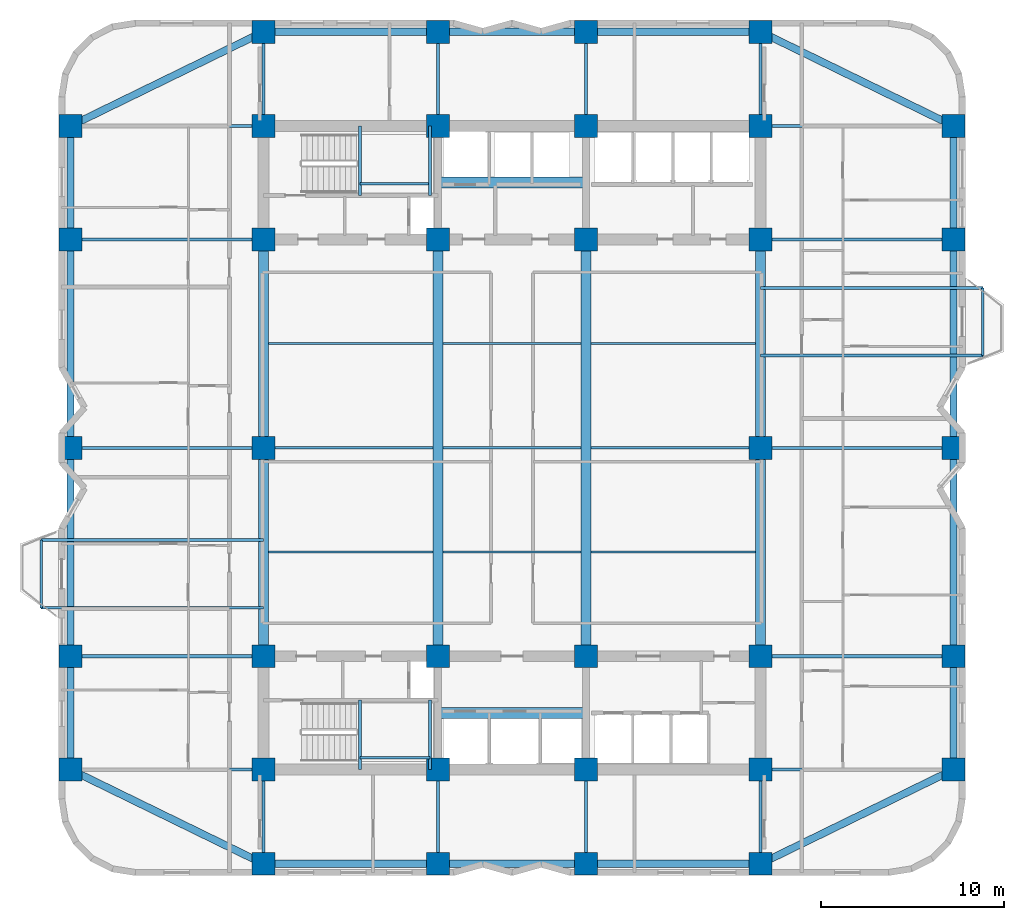
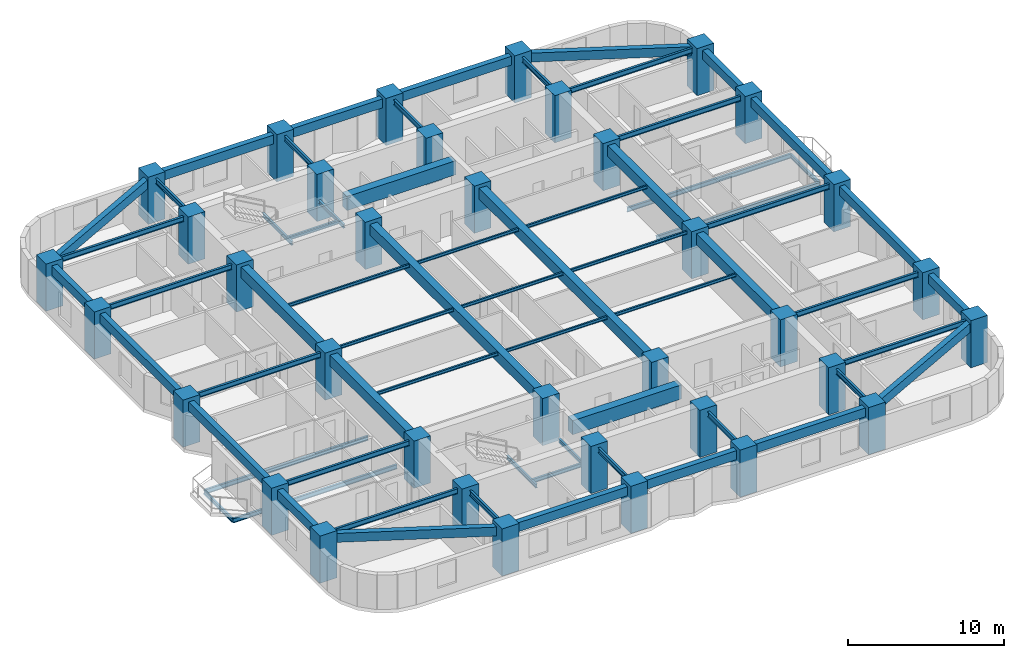
# One storey, part 1 of 9: 65 beams, 36 columns.
"""IFC4 building model written with IfcOpenShell, lengths in metres."""

from ifc_helpers import new_model, si_unit, direction, frame, origin, origin_2d, place, context, subcontext, project, spatial, rectangle, i_section, extrude, material, material_profile, profile_set, type_object, element, save


model = new_model("IFC4")

# Units and contexts
model_context = context("Model", 3, precision=1e-05, world=origin(), true_north=direction((0.0, 1.0)))
body_context = subcontext(model_context, "Body", "Model", "MODEL_VIEW")
ifc_project = project(units=[si_unit("LENGTHUNIT", "METRE"), si_unit("AREAUNIT", "SQUARE_METRE"), si_unit("VOLUMEUNIT", "CUBIC_METRE"), si_unit("PLANEANGLEUNIT", "RADIAN"), si_unit("MASSUNIT", "GRAM", prefix="KILO")], contexts=[model_context])

# Site, building, storey
site_placement = place(None, origin())
site = spatial("IfcSite", under=ifc_project, at=site_placement, CompositionType="ELEMENT")
building_placement = place(site_placement, origin())
building = spatial("IfcBuilding", under=site, at=building_placement, Name="Svetorya Sky Lyceum", CompositionType="ELEMENT")
storey_placement = place(building_placement, frame((0.0, 0.0, 51.0)))
storey = spatial("IfcBuildingStorey", under=building, at=storey_placement, Name="L12", CompositionType="ELEMENT", Elevation=51.0)

# Columns
ifc_material_1 = material(Name="Concrete C60/75", Category="concrete")
ifc_material_profile_1 = material_profile(ifc_material_1, rectangle(XDim=1.25, YDim=1.25, at=origin_2d()), Name="RC COL 1250x1250")
ifc_profile_set_1 = profile_set([ifc_material_profile_1], Name="Concrete C60/75")
column_type = type_object("IfcColumnType", Name="COL-RC-1250", PredefinedType="COLUMN", material=ifc_profile_set_1)
for number, where, z_axis, x_axis, name in (
    (1, (25.60009765625, 10.60009765625, 0.0), (0.0, 0.0, 1.0), (1.0, 0.0, 0.0), "L12 Core Column CS-11"),
    (2, (25.60009765625, 16.800048828125, 0.0), (0.0, 0.0, 1.0), (1.0, 0.0, 0.0), "L12 Core Column CS-12"),
    (3, (35.14990234375, 10.60009765625, 0.0), (0.0, 0.0, 1.0), (1.0, 0.0, 0.0), "L12 Core Column CS-21"),
    (4, (35.14990234375, 16.800048828125, 0.0), (0.0, 0.0, 1.0), (1.0, 0.0, 0.0), "L12 Core Column CS-22"),
    (5, (43.25, 10.60009765625, 0.0), (0.0, 0.0, 1.0), (1.0, 0.0, 0.0), "L12 Core Column CS-31"),
    (6, (43.25, 16.800048828125, 0.0), (0.0, 0.0, 1.0), (1.0, 0.0, 0.0), "L12 Core Column CS-32"),
    (7, (52.800048828125, 10.60009765625, 0.0), (0.0, 0.0, 1.0), (1.0, 0.0, 0.0), "L12 Core Column CS-41"),
    (8, (52.800048828125, 16.800048828125, 0.0), (0.0, 0.0, 1.0), (1.0, 0.0, 0.0), "L12 Core Column CS-42"),
    (9, (25.60009765625, 39.60009765625, 0.0), (0.0, 0.0, 1.0), (1.0, 0.0, 0.0), "L12 Core Column CN-11"),
    (10, (25.60009765625, 45.800048828125, 0.0), (0.0, 0.0, 1.0), (1.0, 0.0, 0.0), "L12 Core Column CN-12"),
    (11, (35.14990234375, 39.60009765625, 0.0), (0.0, 0.0, 1.0), (1.0, 0.0, 0.0), "L12 Core Column CN-21"),
    (12, (35.14990234375, 45.800048828125, 0.0), (0.0, 0.0, 1.0), (1.0, 0.0, 0.0), "L12 Core Column CN-22"),
    (13, (43.25, 39.60009765625, 0.0), (0.0, 0.0, 1.0), (1.0, 0.0, 0.0), "L12 Core Column CN-31"),
    (14, (43.25, 45.800048828125, 0.0), (0.0, 0.0, 1.0), (1.0, 0.0, 0.0), "L12 Core Column CN-32"),
    (15, (52.800048828125, 39.60009765625, 0.0), (0.0, 0.0, 1.0), (1.0, 0.0, 0.0), "L12 Core Column CN-41"),
    (16, (52.800048828125, 45.800048828125, 0.0), (0.0, 0.0, 1.0), (1.0, 0.0, 0.0), "L12 Core Column CN-42"),
    (17, (25.60009765625, 28.199951171875, 0.0), (0.0, 0.0, 1.0), (1.0, 0.0, 0.0), "L12 Core Column CM-W"),
    (18, (52.800048828125, 28.199951171875, 0.0), (0.0, 0.0, 1.0), (1.0, 0.0, 0.0), "L12 Core Column CM-E"),
    (19, (25.60009765625, 5.449951171875, 0.0), (0.0, 0.0, 1.0), (1.0, 0.0, 0.0), "L12 Perimeter Column S1"),
    (20, (25.60009765625, 50.949951171875, 0.0), (0.0, 0.0, 1.0), (1.0, 0.0, 0.0), "L12 Perimeter Column N1"),
    (21, (35.14990234375, 5.449951171875, 0.0), (0.0, 0.0, 1.0), (1.0, 0.0, 0.0), "L12 Perimeter Column S2"),
    (22, (35.14990234375, 50.949951171875, 0.0), (0.0, 0.0, 1.0), (1.0, 0.0, 0.0), "L12 Perimeter Column N2"),
    (23, (43.25, 5.449951171875, 0.0), (0.0, 0.0, 1.0), (1.0, 0.0, 0.0), "L12 Perimeter Column S3"),
    (24, (43.25, 50.949951171875, 0.0), (0.0, 0.0, 1.0), (1.0, 0.0, 0.0), "L12 Perimeter Column N3"),
    (25, (52.800048828125, 5.449951171875, 0.0), (0.0, 0.0, 1.0), (1.0, 0.0, 0.0), "L12 Perimeter Column S4"),
    (26, (52.800048828125, 50.949951171875, 0.0), (0.0, 0.0, 1.0), (1.0, 0.0, 0.0), "L12 Perimeter Column N4"),
    (27, (15.050048828125, 10.60009765625, 0.0), (0.0, 0.0, 1.0), (1.0, 0.0, 0.0), "L12 Perimeter Column W1"),
    (28, (63.35009765625, 10.60009765625, 0.0), (0.0, 0.0, 1.0), (1.0, 0.0, 0.0), "L12 Perimeter Column E1"),
    (29, (15.050048828125, 16.800048828125, 0.0), (0.0, 0.0, 1.0), (1.0, 0.0, 0.0), "L12 Perimeter Column W2"),
    (30, (63.35009765625, 16.800048828125, 0.0), (0.0, 0.0, 1.0), (1.0, 0.0, 0.0), "L12 Perimeter Column E2"),
    (31, (15.050048828125, 28.199951171875, 0.0), (0.0, 0.0, 1.0), (1.0, 0.0, 0.0), "L12 Perimeter Column W3"),
    (32, (63.35009765625, 28.199951171875, 0.0), (0.0, 0.0, 1.0), (1.0, 0.0, 0.0), "L12 Perimeter Column E3"),
    (33, (15.050048828125, 39.60009765625, 0.0), (0.0, 0.0, 1.0), (1.0, 0.0, 0.0), "L12 Perimeter Column W4"),
    (34, (63.35009765625, 39.60009765625, 0.0), (0.0, 0.0, 1.0), (1.0, 0.0, 0.0), "L12 Perimeter Column E4"),
    (35, (15.050048828125, 45.800048828125, 0.0), (0.0, 0.0, 1.0), (1.0, 0.0, 0.0), "L12 Perimeter Column W5"),
    (36, (63.35009765625, 45.800048828125, 0.0), (0.0, 0.0, 1.0), (1.0, 0.0, 0.0), "L12 Perimeter Column E5"),
):
    element("IfcColumn", number, at=place(storey_placement, frame(where, z_axis=z_axis, x_axis=x_axis)), inside=storey, type_object=column_type, Name=name, PredefinedType="COLUMN", context=body_context, shape_type="SweptSolid", body=[
        extrude(rectangle(XDim=1.25, YDim=1.25, at=origin_2d()), origin(), (0.0, 0.0, 1.0), 3.699951171875),
    ])

# Beams
ifc_material_profile_2 = material_profile(ifc_material_1, rectangle(XDim=0.60009765625, YDim=1.10009765625, at=origin_2d()), Name="RC COUPLING 600x1100")
ifc_profile_set_2 = profile_set([ifc_material_profile_2], Name="Concrete C60/75")
beam_type_1 = type_object("IfcBeamType", Name="BM-CPL-1100", PredefinedType="LINTEL", material=ifc_profile_set_2)
for number, where, z_axis, x_axis, name in (
    (37, (35.14990234375, 13.699951171875, 2.8701171875), (1.0, 0.0, 0.0), (0.0, 1.0, 0.0), "L12 SC Core Coupling Beam"),
    (38, (35.14990234375, 42.699951171875, 2.8701171875), (1.0, 0.0, 0.0), (0.0, 1.0, 0.0), "L12 NC Core Coupling Beam"),
):
    element("IfcBeam", number, at=place(storey_placement, frame(where, z_axis=z_axis, x_axis=x_axis)), inside=storey, type_object=beam_type_1, Name=name, PredefinedType="LINTEL", context=body_context, shape_type="SweptSolid", body=[
        extrude(rectangle(XDim=0.60009765625, YDim=1.10009765625, at=origin_2d()), origin(), (0.0, 0.0, 1.0), 8.10009765625),
    ])
ifc_material_2 = material(Name="Concrete C50/60", Category="concrete")
ifc_material_profile_3 = material_profile(ifc_material_2, rectangle(XDim=0.550048828125, YDim=0.85009765625, at=origin_2d()), Name="RC BEAM 550x850")
ifc_profile_set_3 = profile_set([ifc_material_profile_3], Name="Concrete C50/60")
beam_type_2 = type_object("IfcBeamType", Name="BM-RC-850", PredefinedType="BEAM", material=ifc_profile_set_3)
beam_1_placement = place(storey_placement, frame((25.60009765625, 16.800048828125, 2.9951171875), z_axis=(0.0, 1.0, 0.0), x_axis=(-1.0, 0.0, 0.0)))
element("IfcBeam", 39, at=beam_1_placement, inside=storey, type_object=beam_type_2, Name="L12 Central Bay Primary Girder CG-1A", PredefinedType="BEAM", context=body_context, shape_type="SweptSolid", body=[
    extrude(rectangle(XDim=0.550048828125, YDim=0.85009765625, at=origin_2d()), origin(), (0.0, 0.0, 1.0), 11.39990234375),
])
beam_2_placement = place(storey_placement, frame((25.60009765625, 28.199951171875, 2.9951171875), z_axis=(0.0, 1.0, 0.0), x_axis=(-1.0, 0.0, 0.0)))
element("IfcBeam", 40, at=beam_2_placement, inside=storey, type_object=beam_type_2, Name="L12 Central Bay Primary Girder CG-1B", PredefinedType="BEAM", context=body_context, shape_type="SweptSolid", body=[
    extrude(rectangle(XDim=0.550048828125, YDim=0.85009765625, at=origin_2d()), origin(), (0.0, 0.0, 1.0), 11.400146484375),
])
for number, where, z_axis, x_axis, name in (
    (41, (35.14990234375, 16.800048828125, 2.9951171875), (0.0, 1.0, 0.0), (-1.0, 0.0, 0.0), "L12 Central Bay Primary Girder CG-2"),
    (42, (43.25, 16.800048828125, 2.9951171875), (0.0, 1.0, 0.0), (-1.0, 0.0, 0.0), "L12 Central Bay Primary Girder CG-3"),
):
    element("IfcBeam", number, at=place(storey_placement, frame(where, z_axis=z_axis, x_axis=x_axis)), inside=storey, type_object=beam_type_2, Name=name, PredefinedType="BEAM", context=body_context, shape_type="SweptSolid", body=[
        extrude(rectangle(XDim=0.550048828125, YDim=0.85009765625, at=origin_2d()), origin(), (0.0, 0.0, 1.0), 22.800048828125),
    ])
beam_3_placement = place(storey_placement, frame((52.800048828125, 16.800048828125, 2.9951171875), z_axis=(0.0, 1.0, 0.0), x_axis=(-1.0, 0.0, 0.0)))
element("IfcBeam", 43, at=beam_3_placement, inside=storey, type_object=beam_type_2, Name="L12 Central Bay Primary Girder CG-4A", PredefinedType="BEAM", context=body_context, shape_type="SweptSolid", body=[
    extrude(rectangle(XDim=0.550048828125, YDim=0.85009765625, at=origin_2d()), origin(), (0.0, 0.0, 1.0), 11.39990234375),
])
beam_4_placement = place(storey_placement, frame((52.800048828125, 28.199951171875, 2.9951171875), z_axis=(0.0, 1.0, 0.0), x_axis=(-1.0, 0.0, 0.0)))
element("IfcBeam", 44, at=beam_4_placement, inside=storey, type_object=beam_type_2, Name="L12 Central Bay Primary Girder CG-4B", PredefinedType="BEAM", context=body_context, shape_type="SweptSolid", body=[
    extrude(rectangle(XDim=0.550048828125, YDim=0.85009765625, at=origin_2d()), origin(), (0.0, 0.0, 1.0), 11.400146484375),
])
ifc_material_profile_4 = material_profile(ifc_material_2, rectangle(XDim=0.39990234375, YDim=0.699951171875, at=origin_2d()), Name="RC SPANDREL 400x700")
ifc_profile_set_4 = profile_set([ifc_material_profile_4], Name="Concrete C50/60")
beam_type_3 = type_object("IfcBeamType", Name="BM-SPN-700", PredefinedType="SPANDREL", material=ifc_profile_set_4)
beam_5_placement = place(storey_placement, frame((25.60009765625, 5.449951171875, 3.070068359375), z_axis=(1.0, 0.0, 0.0), x_axis=(0.0, 1.0, 0.0)))
element("IfcBeam", 45, at=beam_5_placement, inside=storey, type_object=beam_type_3, Name="L12 South Spandrel 1", PredefinedType="SPANDREL", context=body_context, shape_type="SweptSolid", body=[
    extrude(rectangle(XDim=0.39990234375, YDim=0.699951171875, at=origin_2d()), origin(), (0.0, 0.0, 1.0), 9.5498046875),
])
beam_6_placement = place(storey_placement, frame((35.14990234375, 5.449951171875, 3.070068359375), z_axis=(1.0, 0.0, 0.0), x_axis=(0.0, 1.0, 0.0)))
element("IfcBeam", 46, at=beam_6_placement, inside=storey, type_object=beam_type_3, Name="L12 South Spandrel 2", PredefinedType="SPANDREL", context=body_context, shape_type="SweptSolid", body=[
    extrude(rectangle(XDim=0.39990234375, YDim=0.699951171875, at=origin_2d()), origin(), (0.0, 0.0, 1.0), 8.10009765625),
])
beam_7_placement = place(storey_placement, frame((43.25, 5.449951171875, 3.070068359375), z_axis=(1.0, 0.0, 0.0), x_axis=(0.0, 1.0, 0.0)))
element("IfcBeam", 47, at=beam_7_placement, inside=storey, type_object=beam_type_3, Name="L12 South Spandrel 3", PredefinedType="SPANDREL", context=body_context, shape_type="SweptSolid", body=[
    extrude(rectangle(XDim=0.39990234375, YDim=0.699951171875, at=origin_2d()), origin(), (0.0, 0.0, 1.0), 9.550048828125),
])
beam_8_placement = place(storey_placement, frame((25.60009765625, 50.949951171875, 3.070068359375), z_axis=(1.0, 0.0, 0.0), x_axis=(0.0, 1.0, 0.0)))
element("IfcBeam", 48, at=beam_8_placement, inside=storey, type_object=beam_type_3, Name="L12 North Spandrel 1", PredefinedType="SPANDREL", context=body_context, shape_type="SweptSolid", body=[
    extrude(rectangle(XDim=0.39990234375, YDim=0.699951171875, at=origin_2d()), origin(), (0.0, 0.0, 1.0), 9.5498046875),
])
beam_9_placement = place(storey_placement, frame((35.14990234375, 50.949951171875, 3.070068359375), z_axis=(1.0, 0.0, 0.0), x_axis=(0.0, 1.0, 0.0)))
element("IfcBeam", 49, at=beam_9_placement, inside=storey, type_object=beam_type_3, Name="L12 North Spandrel 2", PredefinedType="SPANDREL", context=body_context, shape_type="SweptSolid", body=[
    extrude(rectangle(XDim=0.39990234375, YDim=0.699951171875, at=origin_2d()), origin(), (0.0, 0.0, 1.0), 8.10009765625),
])
beam_10_placement = place(storey_placement, frame((43.25, 50.949951171875, 3.070068359375), z_axis=(1.0, 0.0, 0.0), x_axis=(0.0, 1.0, 0.0)))
element("IfcBeam", 50, at=beam_10_placement, inside=storey, type_object=beam_type_3, Name="L12 North Spandrel 3", PredefinedType="SPANDREL", context=body_context, shape_type="SweptSolid", body=[
    extrude(rectangle(XDim=0.39990234375, YDim=0.699951171875, at=origin_2d()), origin(), (0.0, 0.0, 1.0), 9.550048828125),
])
for number, where, z_axis, x_axis, name in (
    (51, (25.60009765625, 5.449951171875, 3.070068359375), (-0.898641495694, 0.438683783854, 0.0), (-0.438683783854, -0.898641495694, 0.0), "L12 Corner Spandrel 1"),
    (52, (52.800048828125, 5.449951171875, 3.070068359375), (0.898641495694, 0.438683783854, 0.0), (-0.438683783854, 0.898641495694, 0.0), "L12 Corner Spandrel 2"),
    (53, (63.35009765625, 45.800048828125, 3.070068359375), (-0.898649693653, 0.438666989978, 0.0), (-0.438666989978, -0.898649693653, 0.0), "L12 Corner Spandrel 3"),
    (54, (15.050048828125, 45.800048828125, 3.070068359375), (0.898649693653, 0.438666989978, 0.0), (-0.438666989978, 0.898649693653, 0.0), "L12 Corner Spandrel 4"),
):
    element("IfcBeam", number, at=place(storey_placement, frame(where, z_axis=z_axis, x_axis=x_axis)), inside=storey, type_object=beam_type_3, Name=name, PredefinedType="SPANDREL", context=body_context, shape_type="SweptSolid", body=[
        extrude(rectangle(XDim=0.39990234375, YDim=0.699951171875, at=origin_2d()), origin(), (0.0, 0.0, 1.0), 11.739990234375),
    ])
beam_11_placement = place(storey_placement, frame((15.050048828125, 10.60009765625, 3.070068359375), z_axis=(0.0, 1.0, 0.0), x_axis=(-1.0, 0.0, 0.0)))
element("IfcBeam", 55, at=beam_11_placement, inside=storey, type_object=beam_type_3, Name="L12 West Spandrel 1", PredefinedType="SPANDREL", context=body_context, shape_type="SweptSolid", body=[
    extrude(rectangle(XDim=0.39990234375, YDim=0.699951171875, at=origin_2d()), origin(), (0.0, 0.0, 1.0), 6.199951171875),
])
beam_12_placement = place(storey_placement, frame((15.050048828125, 16.800048828125, 3.070068359375), z_axis=(0.0, 1.0, 0.0), x_axis=(-1.0, 0.0, 0.0)))
element("IfcBeam", 56, at=beam_12_placement, inside=storey, type_object=beam_type_3, Name="L12 West Spandrel 2", PredefinedType="SPANDREL", context=body_context, shape_type="SweptSolid", body=[
    extrude(rectangle(XDim=0.39990234375, YDim=0.699951171875, at=origin_2d()), origin(), (0.0, 0.0, 1.0), 11.39990234375),
])
beam_13_placement = place(storey_placement, frame((15.050048828125, 28.199951171875, 3.070068359375), z_axis=(0.0, 1.0, 0.0), x_axis=(-1.0, 0.0, 0.0)))
element("IfcBeam", 57, at=beam_13_placement, inside=storey, type_object=beam_type_3, Name="L12 West Spandrel 3", PredefinedType="SPANDREL", context=body_context, shape_type="SweptSolid", body=[
    extrude(rectangle(XDim=0.39990234375, YDim=0.699951171875, at=origin_2d()), origin(), (0.0, 0.0, 1.0), 11.400146484375),
])
for number, where, z_axis, x_axis, name in (
    (58, (15.050048828125, 39.60009765625, 3.070068359375), (0.0, 1.0, 0.0), (-1.0, 0.0, 0.0), "L12 West Spandrel 4"),
    (59, (63.35009765625, 10.60009765625, 3.070068359375), (0.0, 1.0, 0.0), (-1.0, 0.0, 0.0), "L12 East Spandrel 1"),
):
    element("IfcBeam", number, at=place(storey_placement, frame(where, z_axis=z_axis, x_axis=x_axis)), inside=storey, type_object=beam_type_3, Name=name, PredefinedType="SPANDREL", context=body_context, shape_type="SweptSolid", body=[
        extrude(rectangle(XDim=0.39990234375, YDim=0.699951171875, at=origin_2d()), origin(), (0.0, 0.0, 1.0), 6.199951171875),
    ])
beam_14_placement = place(storey_placement, frame((63.35009765625, 16.800048828125, 3.070068359375), z_axis=(0.0, 1.0, 0.0), x_axis=(-1.0, 0.0, 0.0)))
element("IfcBeam", 60, at=beam_14_placement, inside=storey, type_object=beam_type_3, Name="L12 East Spandrel 2", PredefinedType="SPANDREL", context=body_context, shape_type="SweptSolid", body=[
    extrude(rectangle(XDim=0.39990234375, YDim=0.699951171875, at=origin_2d()), origin(), (0.0, 0.0, 1.0), 11.39990234375),
])
beam_15_placement = place(storey_placement, frame((63.35009765625, 28.199951171875, 3.070068359375), z_axis=(0.0, 1.0, 0.0), x_axis=(-1.0, 0.0, 0.0)))
element("IfcBeam", 61, at=beam_15_placement, inside=storey, type_object=beam_type_3, Name="L12 East Spandrel 3", PredefinedType="SPANDREL", context=body_context, shape_type="SweptSolid", body=[
    extrude(rectangle(XDim=0.39990234375, YDim=0.699951171875, at=origin_2d()), origin(), (0.0, 0.0, 1.0), 11.400146484375),
])
beam_16_placement = place(storey_placement, frame((63.35009765625, 39.60009765625, 3.070068359375), z_axis=(0.0, 1.0, 0.0), x_axis=(-1.0, 0.0, 0.0)))
element("IfcBeam", 62, at=beam_16_placement, inside=storey, type_object=beam_type_3, Name="L12 East Spandrel 4", PredefinedType="SPANDREL", context=body_context, shape_type="SweptSolid", body=[
    extrude(rectangle(XDim=0.39990234375, YDim=0.699951171875, at=origin_2d()), origin(), (0.0, 0.0, 1.0), 6.199951171875),
])
ifc_material_3 = material(Name="Steel S355", Category="steel")
ifc_material_profile_5 = material_profile(ifc_material_3, i_section(OverallWidth=0.1240234375, OverallDepth=0.248046875, WebThickness=0.006103515625, FlangeThickness=0.009521484375, at=origin_2d()), Name="GOST 25B2")
ifc_profile_set_5 = profile_set([ifc_material_profile_5], Name="Steel S355")
beam_type_4 = type_object("IfcBeamType", Name="BM-STL-25B2", PredefinedType="JOIST", material=ifc_profile_set_5)
beam_17_placement = place(storey_placement, frame((25.875, 22.5, 3.2958984375), z_axis=(1.0, 0.0, 0.0), x_axis=(0.0, 1.0, 0.0)))
element("IfcBeam", 63, at=beam_17_placement, inside=storey, type_object=beam_type_4, Name="L12 Central Floor Joist CJ-1.1", PredefinedType="JOIST", context=body_context, shape_type="SweptSolid", body=[
    extrude(i_section(OverallWidth=0.1240234375, OverallDepth=0.248046875, WebThickness=0.006103515625, FlangeThickness=0.009521484375, at=origin_2d()), origin(), (0.0, 0.0, 1.0), 9.0),
])
beam_18_placement = place(storey_placement, frame((35.425048828125, 22.5, 3.2958984375), z_axis=(1.0, 0.0, 0.0), x_axis=(0.0, 1.0, 0.0)))
element("IfcBeam", 64, at=beam_18_placement, inside=storey, type_object=beam_type_4, Name="L12 Central Floor Joist CJ-1.2", PredefinedType="JOIST", context=body_context, shape_type="SweptSolid", body=[
    extrude(i_section(OverallWidth=0.1240234375, OverallDepth=0.248046875, WebThickness=0.006103515625, FlangeThickness=0.009521484375, at=origin_2d()), origin(), (0.0, 0.0, 1.0), 7.550048828125),
])
for number, where, z_axis, x_axis, name in (
    (65, (43.52490234375, 22.5, 3.2958984375), (1.0, 0.0, 0.0), (0.0, 1.0, 0.0), "L12 Central Floor Joist CJ-1.3"),
    (66, (25.875, 28.199951171875, 3.2958984375), (1.0, 0.0, 0.0), (0.0, 1.0, 0.0), "L12 Central Floor Joist CJ-2.1"),
):
    element("IfcBeam", number, at=place(storey_placement, frame(where, z_axis=z_axis, x_axis=x_axis)), inside=storey, type_object=beam_type_4, Name=name, PredefinedType="JOIST", context=body_context, shape_type="SweptSolid", body=[
        extrude(i_section(OverallWidth=0.1240234375, OverallDepth=0.248046875, WebThickness=0.006103515625, FlangeThickness=0.009521484375, at=origin_2d()), origin(), (0.0, 0.0, 1.0), 9.0),
    ])
beam_19_placement = place(storey_placement, frame((35.425048828125, 28.199951171875, 3.2958984375), z_axis=(1.0, 0.0, 0.0), x_axis=(0.0, 1.0, 0.0)))
element("IfcBeam", 67, at=beam_19_placement, inside=storey, type_object=beam_type_4, Name="L12 Central Floor Joist CJ-2.2", PredefinedType="JOIST", context=body_context, shape_type="SweptSolid", body=[
    extrude(i_section(OverallWidth=0.1240234375, OverallDepth=0.248046875, WebThickness=0.006103515625, FlangeThickness=0.009521484375, at=origin_2d()), origin(), (0.0, 0.0, 1.0), 7.550048828125),
])
for number, where, z_axis, x_axis, name in (
    (68, (43.52490234375, 28.199951171875, 3.2958984375), (1.0, 0.0, 0.0), (0.0, 1.0, 0.0), "L12 Central Floor Joist CJ-2.3"),
    (69, (25.875, 33.89990234375, 3.2958984375), (1.0, 0.0, 0.0), (0.0, 1.0, 0.0), "L12 Central Floor Joist CJ-3.1"),
):
    element("IfcBeam", number, at=place(storey_placement, frame(where, z_axis=z_axis, x_axis=x_axis)), inside=storey, type_object=beam_type_4, Name=name, PredefinedType="JOIST", context=body_context, shape_type="SweptSolid", body=[
        extrude(i_section(OverallWidth=0.1240234375, OverallDepth=0.248046875, WebThickness=0.006103515625, FlangeThickness=0.009521484375, at=origin_2d()), origin(), (0.0, 0.0, 1.0), 9.0),
    ])
beam_20_placement = place(storey_placement, frame((35.425048828125, 33.89990234375, 3.2958984375), z_axis=(1.0, 0.0, 0.0), x_axis=(0.0, 1.0, 0.0)))
element("IfcBeam", 70, at=beam_20_placement, inside=storey, type_object=beam_type_4, Name="L12 Central Floor Joist CJ-3.2", PredefinedType="JOIST", context=body_context, shape_type="SweptSolid", body=[
    extrude(i_section(OverallWidth=0.1240234375, OverallDepth=0.248046875, WebThickness=0.006103515625, FlangeThickness=0.009521484375, at=origin_2d()), origin(), (0.0, 0.0, 1.0), 7.550048828125),
])
beam_21_placement = place(storey_placement, frame((43.52490234375, 33.89990234375, 3.2958984375), z_axis=(1.0, 0.0, 0.0), x_axis=(0.0, 1.0, 0.0)))
element("IfcBeam", 71, at=beam_21_placement, inside=storey, type_object=beam_type_4, Name="L12 Central Floor Joist CJ-3.3", PredefinedType="JOIST", context=body_context, shape_type="SweptSolid", body=[
    extrude(i_section(OverallWidth=0.1240234375, OverallDepth=0.248046875, WebThickness=0.006103515625, FlangeThickness=0.009521484375, at=origin_2d()), origin(), (0.0, 0.0, 1.0), 9.0),
])
ifc_material_profile_6 = material_profile(ifc_material_3, i_section(OverallWidth=0.14990234375, OverallDepth=0.299072265625, WebThickness=0.006591796875, FlangeThickness=0.010498046875, at=origin_2d()), Name="GOST 30B2")
ifc_profile_set_6 = profile_set([ifc_material_profile_6], Name="Steel S355")
beam_type_5 = type_object("IfcBeamType", Name="BM-STL-30B2", PredefinedType="JOIST", material=ifc_profile_set_6)
for number, where, z_axis, x_axis, name in (
    (72, (13.449951171875, 19.449951171875, -0.45458984375), (0.0, 1.0, 0.0), (-1.0, 0.0, 0.0), "L12 Balcony Edge Tie BAL-W1"),
    (73, (64.949951171875, 33.25, -0.45458984375), (0.0, 1.0, 0.0), (-1.0, 0.0, 0.0), "L12 Balcony Edge Tie BAL-E1"),
):
    element("IfcBeam", number, at=place(storey_placement, frame(where, z_axis=z_axis, x_axis=x_axis)), inside=storey, type_object=beam_type_5, Name=name, PredefinedType="JOIST", context=body_context, shape_type="SweptSolid", body=[
        extrude(i_section(OverallWidth=0.14990234375, OverallDepth=0.299072265625, WebThickness=0.006591796875, FlangeThickness=0.010498046875, at=origin_2d()), origin(), (0.0, 0.0, 1.0), 3.699951171875),
    ])
for number, where, z_axis, x_axis, name in (
    (74, (30.8798828125, 10.60009765625, 1.50048828125), (0.0, 1.0, 0.0), (-1.0, 0.0, 0.0), "L12 Stair ST-S Half-Landing Support Beam 14.1"),
    (75, (34.719970703125, 10.60009765625, 1.50048828125), (0.0, 1.0, 0.0), (-1.0, 0.0, 0.0), "L12 Stair ST-S Half-Landing Support Beam 14.2"),
):
    element("IfcBeam", number, at=place(storey_placement, frame(where, z_axis=z_axis, x_axis=x_axis)), inside=storey, type_object=beam_type_5, Name=name, PredefinedType="JOIST", context=body_context, shape_type="SweptSolid", body=[
        extrude(i_section(OverallWidth=0.14990234375, OverallDepth=0.299072265625, WebThickness=0.006591796875, FlangeThickness=0.010498046875, at=origin_2d()), origin(), (0.0, 0.0, 1.0), 3.7998046875),
    ])
beam_22_placement = place(storey_placement, frame((30.8798828125, 11.25, 1.50048828125), z_axis=(1.0, 0.0, 0.0), x_axis=(0.0, 1.0, 0.0)))
element("IfcBeam", 76, at=beam_22_placement, inside=storey, type_object=beam_type_5, Name="L12 Stair ST-S Half-Landing Cross Tie 14", PredefinedType="JOIST", context=body_context, shape_type="SweptSolid", body=[
    extrude(i_section(OverallWidth=0.14990234375, OverallDepth=0.299072265625, WebThickness=0.006591796875, FlangeThickness=0.010498046875, at=origin_2d()), origin(), (0.0, 0.0, 1.0), 3.840087890625),
])
for number, where, z_axis, x_axis, name in (
    (77, (30.8798828125, 42.0, 1.50048828125), (0.0, 1.0, 0.0), (-1.0, 0.0, 0.0), "L12 Stair ST-N Half-Landing Support Beam 14.1"),
    (78, (34.719970703125, 42.0, 1.50048828125), (0.0, 1.0, 0.0), (-1.0, 0.0, 0.0), "L12 Stair ST-N Half-Landing Support Beam 14.2"),
):
    element("IfcBeam", number, at=place(storey_placement, frame(where, z_axis=z_axis, x_axis=x_axis)), inside=storey, type_object=beam_type_5, Name=name, PredefinedType="JOIST", context=body_context, shape_type="SweptSolid", body=[
        extrude(i_section(OverallWidth=0.14990234375, OverallDepth=0.299072265625, WebThickness=0.006591796875, FlangeThickness=0.010498046875, at=origin_2d()), origin(), (0.0, 0.0, 1.0), 3.800048828125),
    ])
beam_23_placement = place(storey_placement, frame((30.8798828125, 42.64990234375, 1.50048828125), z_axis=(1.0, 0.0, 0.0), x_axis=(0.0, 1.0, 0.0)))
element("IfcBeam", 79, at=beam_23_placement, inside=storey, type_object=beam_type_5, Name="L12 Stair ST-N Half-Landing Cross Tie 14", PredefinedType="JOIST", context=body_context, shape_type="SweptSolid", body=[
    extrude(i_section(OverallWidth=0.14990234375, OverallDepth=0.299072265625, WebThickness=0.006591796875, FlangeThickness=0.010498046875, at=origin_2d()), origin(), (0.0, 0.0, 1.0), 3.840087890625),
])
ifc_material_profile_7 = material_profile(ifc_material_3, i_section(OverallWidth=0.155029296875, OverallDepth=0.34912109375, WebThickness=0.007080078125, FlangeThickness=0.011474609375, at=origin_2d()), Name="GOST 35B2")
ifc_profile_set_7 = profile_set([ifc_material_profile_7], Name="Steel S355")
beam_type_6 = type_object("IfcBeamType", Name="BM-STL-35B2", PredefinedType="JOIST", material=ifc_profile_set_7)
for number, where, z_axis, x_axis, name in (
    (80, (25.60009765625, 19.449951171875, -0.45458984375), (-1.0, 0.0, 0.0), (0.0, -1.0, 0.0), "L12 Balcony Cantilever Beam BAL-W1-1"),
    (81, (25.60009765625, 23.14990234375, -0.45458984375), (-1.0, 0.0, 0.0), (0.0, -1.0, 0.0), "L12 Balcony Cantilever Beam BAL-W1-2"),
):
    element("IfcBeam", number, at=place(storey_placement, frame(where, z_axis=z_axis, x_axis=x_axis)), inside=storey, type_object=beam_type_6, Name=name, PredefinedType="JOIST", context=body_context, shape_type="SweptSolid", body=[
        extrude(i_section(OverallWidth=0.155029296875, OverallDepth=0.34912109375, WebThickness=0.007080078125, FlangeThickness=0.011474609375, at=origin_2d()), origin(), (0.0, 0.0, 1.0), 12.150146484375),
    ])
for number, where, z_axis, x_axis, name in (
    (82, (52.800048828125, 33.25, -0.45458984375), (1.0, 0.0, 0.0), (0.0, 1.0, 0.0), "L12 Balcony Cantilever Beam BAL-E1-1"),
    (83, (52.800048828125, 36.949951171875, -0.45458984375), (1.0, 0.0, 0.0), (0.0, 1.0, 0.0), "L12 Balcony Cantilever Beam BAL-E1-2"),
):
    element("IfcBeam", number, at=place(storey_placement, frame(where, z_axis=z_axis, x_axis=x_axis)), inside=storey, type_object=beam_type_6, Name=name, PredefinedType="JOIST", context=body_context, shape_type="SweptSolid", body=[
        extrude(i_section(OverallWidth=0.155029296875, OverallDepth=0.34912109375, WebThickness=0.007080078125, FlangeThickness=0.011474609375, at=origin_2d()), origin(), (0.0, 0.0, 1.0), 12.14990234375),
    ])
ifc_material_profile_8 = material_profile(ifc_material_3, i_section(OverallWidth=0.1650390625, OverallDepth=0.39990234375, WebThickness=0.008056640625, FlangeThickness=0.012939453125, at=origin_2d()), Name="GOST 40B2")
ifc_profile_set_8 = profile_set([ifc_material_profile_8], Name="Steel S355")
beam_type_7 = type_object("IfcBeamType", Name="BM-STL-40B2", PredefinedType="JOIST", material=ifc_profile_set_8)
for number, where, z_axis, x_axis, name in (
    (84, (15.050048828125, 10.60009765625, 3.219970703125), (1.0, 0.0, 0.0), (0.0, 1.0, 0.0), "L12 West Wing Floor Joist W1"),
    (85, (52.800048828125, 10.60009765625, 3.219970703125), (1.0, 0.0, 0.0), (0.0, 1.0, 0.0), "L12 East Wing Floor Joist E1"),
    (86, (15.050048828125, 16.800048828125, 3.219970703125), (1.0, 0.0, 0.0), (0.0, 1.0, 0.0), "L12 West Wing Floor Joist W2"),
    (87, (52.800048828125, 16.800048828125, 3.219970703125), (1.0, 0.0, 0.0), (0.0, 1.0, 0.0), "L12 East Wing Floor Joist E2"),
    (88, (15.050048828125, 28.199951171875, 3.219970703125), (1.0, 0.0, 0.0), (0.0, 1.0, 0.0), "L12 West Wing Floor Joist W3"),
    (89, (52.800048828125, 28.199951171875, 3.219970703125), (1.0, 0.0, 0.0), (0.0, 1.0, 0.0), "L12 East Wing Floor Joist E3"),
    (90, (15.050048828125, 39.60009765625, 3.219970703125), (1.0, 0.0, 0.0), (0.0, 1.0, 0.0), "L12 West Wing Floor Joist W4"),
    (91, (52.800048828125, 39.60009765625, 3.219970703125), (1.0, 0.0, 0.0), (0.0, 1.0, 0.0), "L12 East Wing Floor Joist E4"),
    (92, (15.050048828125, 45.800048828125, 3.219970703125), (1.0, 0.0, 0.0), (0.0, 1.0, 0.0), "L12 West Wing Floor Joist W5"),
    (93, (52.800048828125, 45.800048828125, 3.219970703125), (1.0, 0.0, 0.0), (0.0, 1.0, 0.0), "L12 East Wing Floor Joist E5"),
):
    element("IfcBeam", number, at=place(storey_placement, frame(where, z_axis=z_axis, x_axis=x_axis)), inside=storey, type_object=beam_type_7, Name=name, PredefinedType="JOIST", context=body_context, shape_type="SweptSolid", body=[
        extrude(i_section(OverallWidth=0.1650390625, OverallDepth=0.39990234375, WebThickness=0.008056640625, FlangeThickness=0.012939453125, at=origin_2d()), origin(), (0.0, 0.0, 1.0), 10.550048828125),
    ])
beam_24_placement = place(storey_placement, frame((25.60009765625, 5.449951171875, 3.219970703125), z_axis=(0.0, 1.0, 0.0), x_axis=(-1.0, 0.0, 0.0)))
element("IfcBeam", 94, at=beam_24_placement, inside=storey, type_object=beam_type_7, Name="L12 South Bay Floor Girder S1", PredefinedType="JOIST", context=body_context, shape_type="SweptSolid", body=[
    extrude(i_section(OverallWidth=0.1650390625, OverallDepth=0.39990234375, WebThickness=0.008056640625, FlangeThickness=0.012939453125, at=origin_2d()), origin(), (0.0, 0.0, 1.0), 5.150146484375),
])
beam_25_placement = place(storey_placement, frame((25.60009765625, 45.800048828125, 3.219970703125), z_axis=(0.0, 1.0, 0.0), x_axis=(-1.0, 0.0, 0.0)))
element("IfcBeam", 95, at=beam_25_placement, inside=storey, type_object=beam_type_7, Name="L12 North Bay Floor Girder N1", PredefinedType="JOIST", context=body_context, shape_type="SweptSolid", body=[
    extrude(i_section(OverallWidth=0.1650390625, OverallDepth=0.39990234375, WebThickness=0.008056640625, FlangeThickness=0.012939453125, at=origin_2d()), origin(), (0.0, 0.0, 1.0), 5.14990234375),
])
beam_26_placement = place(storey_placement, frame((35.14990234375, 5.449951171875, 3.219970703125), z_axis=(0.0, 1.0, 0.0), x_axis=(-1.0, 0.0, 0.0)))
element("IfcBeam", 96, at=beam_26_placement, inside=storey, type_object=beam_type_7, Name="L12 South Bay Floor Girder S2", PredefinedType="JOIST", context=body_context, shape_type="SweptSolid", body=[
    extrude(i_section(OverallWidth=0.1650390625, OverallDepth=0.39990234375, WebThickness=0.008056640625, FlangeThickness=0.012939453125, at=origin_2d()), origin(), (0.0, 0.0, 1.0), 5.150146484375),
])
beam_27_placement = place(storey_placement, frame((35.14990234375, 45.800048828125, 3.219970703125), z_axis=(0.0, 1.0, 0.0), x_axis=(-1.0, 0.0, 0.0)))
element("IfcBeam", 97, at=beam_27_placement, inside=storey, type_object=beam_type_7, Name="L12 North Bay Floor Girder N2", PredefinedType="JOIST", context=body_context, shape_type="SweptSolid", body=[
    extrude(i_section(OverallWidth=0.1650390625, OverallDepth=0.39990234375, WebThickness=0.008056640625, FlangeThickness=0.012939453125, at=origin_2d()), origin(), (0.0, 0.0, 1.0), 5.14990234375),
])
beam_28_placement = place(storey_placement, frame((43.25, 5.449951171875, 3.219970703125), z_axis=(0.0, 1.0, 0.0), x_axis=(-1.0, 0.0, 0.0)))
element("IfcBeam", 98, at=beam_28_placement, inside=storey, type_object=beam_type_7, Name="L12 South Bay Floor Girder S3", PredefinedType="JOIST", context=body_context, shape_type="SweptSolid", body=[
    extrude(i_section(OverallWidth=0.1650390625, OverallDepth=0.39990234375, WebThickness=0.008056640625, FlangeThickness=0.012939453125, at=origin_2d()), origin(), (0.0, 0.0, 1.0), 5.150146484375),
])
beam_29_placement = place(storey_placement, frame((43.25, 45.800048828125, 3.219970703125), z_axis=(0.0, 1.0, 0.0), x_axis=(-1.0, 0.0, 0.0)))
element("IfcBeam", 99, at=beam_29_placement, inside=storey, type_object=beam_type_7, Name="L12 North Bay Floor Girder N3", PredefinedType="JOIST", context=body_context, shape_type="SweptSolid", body=[
    extrude(i_section(OverallWidth=0.1650390625, OverallDepth=0.39990234375, WebThickness=0.008056640625, FlangeThickness=0.012939453125, at=origin_2d()), origin(), (0.0, 0.0, 1.0), 5.14990234375),
])
beam_30_placement = place(storey_placement, frame((52.800048828125, 5.449951171875, 3.219970703125), z_axis=(0.0, 1.0, 0.0), x_axis=(-1.0, 0.0, 0.0)))
element("IfcBeam", 100, at=beam_30_placement, inside=storey, type_object=beam_type_7, Name="L12 South Bay Floor Girder S4", PredefinedType="JOIST", context=body_context, shape_type="SweptSolid", body=[
    extrude(i_section(OverallWidth=0.1650390625, OverallDepth=0.39990234375, WebThickness=0.008056640625, FlangeThickness=0.012939453125, at=origin_2d()), origin(), (0.0, 0.0, 1.0), 5.150146484375),
])
beam_31_placement = place(storey_placement, frame((52.800048828125, 45.800048828125, 3.219970703125), z_axis=(0.0, 1.0, 0.0), x_axis=(-1.0, 0.0, 0.0)))
element("IfcBeam", 101, at=beam_31_placement, inside=storey, type_object=beam_type_7, Name="L12 North Bay Floor Girder N4", PredefinedType="JOIST", context=body_context, shape_type="SweptSolid", body=[
    extrude(i_section(OverallWidth=0.1650390625, OverallDepth=0.39990234375, WebThickness=0.008056640625, FlangeThickness=0.012939453125, at=origin_2d()), origin(), (0.0, 0.0, 1.0), 5.14990234375),
])

save(model, "model.ifc")
